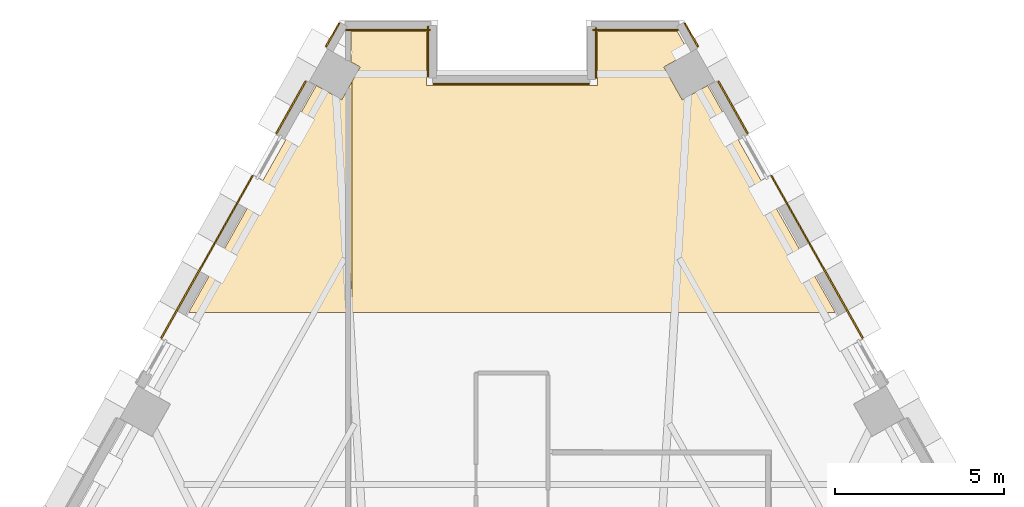
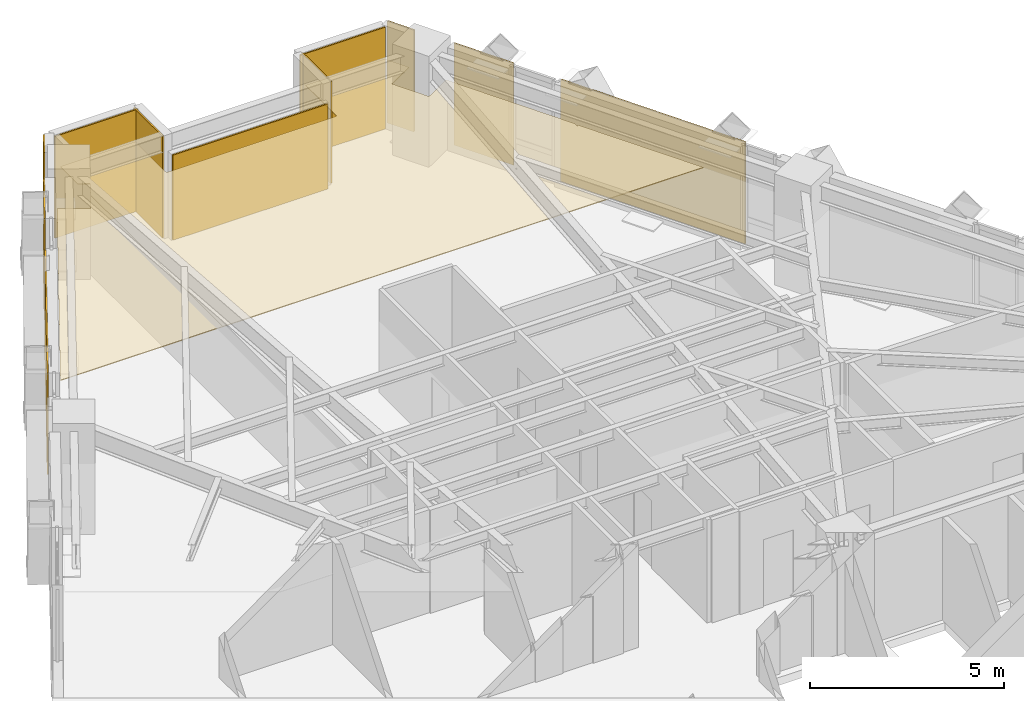
# One storey, part 13 of 13: 13 coverings.
"""IFC4 building model written with IfcOpenShell, lengths in metres."""

import ifcopenshell
import ifcopenshell.guid

model = None  # the IFC model being written
_history = None  # IfcOwnerHistory: only IFC2X3 demands one
_inside = {}  # id of a spatial element -> (the spatial element, [elements in it])
_under = {}  # id of a project, library or spatial element -> (it, [spatial elements below it])
_declared = {}  # id of a project -> (the project, [libraries it declares])
_typed = {}  # id of a type object -> (the type object, [elements of that type])
_made_of = {}  # id of a material, layer set ... -> (it, [elements and type objects made of it])


def new_model(schema):
    """Start an empty IFC model of exactly this schema.

    Asked for "IFC4X3", IfcOpenShell would pick the latest addendum, in which some entities
    have other attributes; the version numbers below select the first issue.
    IFC2X3 requires an IfcOwnerHistory on every rooted entity: one is made here for all.
    """
    global model, _history
    if schema == "IFC4X3":
        model = ifcopenshell.file(schema_version=(4, 3, 0, 0))
    else:
        model = ifcopenshell.file(schema=schema)
    _inside.clear()
    _under.clear()
    _declared.clear()
    _typed.clear()
    _made_of.clear()
    _history = None
    if model.schema == "IFC2X3":
        org = make("IfcOrganization", Name="unknown")
        user = make(
            "IfcPersonAndOrganization",
            ThePerson=make("IfcPerson", FamilyName="unknown"),
            TheOrganization=org,
        )
        app = make(
            "IfcApplication",
            ApplicationDeveloper=org,
            Version="unknown",
            ApplicationFullName="unknown",
            ApplicationIdentifier="unknown",
        )
        _history = make(
            "IfcOwnerHistory",
            OwningUser=user,
            OwningApplication=app,
            ChangeAction="ADDED",
            CreationDate=0,
        )
    return model


def make(cls, **values):
    """One entity of the class cls with the attributes given. An attribute that is None is left unset."""
    return model.create_entity(
        cls, **{name: value for name, value in values.items() if value is not None}
    )


def rooted(cls, **values):
    """An entity with a GlobalId (a new one), such as an element, a storey or a relation."""
    return make(cls, GlobalId=ifcopenshell.guid.new(), OwnerHistory=_history, **values)


def si_unit(unit_type, name, prefix=None):
    """IfcSIUnit, for example si_unit("LENGTHUNIT", "METRE", prefix="MILLI")."""
    return make("IfcSIUnit", UnitType=unit_type, Prefix=prefix, Name=name)


def assignment(units):
    """IfcUnitAssignment: the units of a project."""
    return None if units is None else make("IfcUnitAssignment", Units=units)


def point(xyz):
    """IfcCartesianPoint."""
    return None if xyz is None else make("IfcCartesianPoint", Coordinates=xyz)


def direction(xyz):
    """IfcDirection."""
    return None if xyz is None else make("IfcDirection", DirectionRatios=xyz)


def frame(location, z_axis=None, x_axis=None):
    """IfcAxis2Placement3D, a coordinate frame: its origin and axes. An axis left out is left unset."""
    return make(
        "IfcAxis2Placement3D",
        Location=point(location),
        Axis=direction(z_axis),
        RefDirection=direction(x_axis),
    )


def origin():
    """The frame at (0, 0, 0) with its axes left unset."""
    return frame((0.0, 0.0, 0.0))


def place(relative_to, where):
    """IfcLocalPlacement: puts the frame where relative to a parent placement (None: the world)."""
    return make(
        "IfcLocalPlacement", PlacementRelTo=relative_to, RelativePlacement=where
    )


def context(
    kind, dimensions, precision=None, world=None, true_north=None, identifier=None
):
    """IfcGeometricRepresentationContext, for example the 3D "Model" context."""
    return make(
        "IfcGeometricRepresentationContext",
        ContextIdentifier=identifier,
        ContextType=kind,
        CoordinateSpaceDimension=dimensions,
        Precision=precision,
        WorldCoordinateSystem=world,
        TrueNorth=true_north,
    )


def subcontext(parent, identifier, kind, view, scale=None):
    """IfcGeometricRepresentationSubContext, for example "Body" below "Model"."""
    return make(
        "IfcGeometricRepresentationSubContext",
        ContextIdentifier=identifier,
        ContextType=kind,
        ParentContext=parent,
        TargetScale=scale,
        TargetView=view,
    )


def project(units=None, contexts=None):
    """IfcProject with its units and contexts."""
    return rooted(
        "IfcProject",
        Name="project",
        RepresentationContexts=contexts,
        UnitsInContext=assignment(units),
    )


def spatial(cls, under=None, at=None, **own):
    """A site, building, storey or space (cls), placed at a placement, below another one or the project."""
    s = rooted(cls, ObjectPlacement=at, **own)
    if under is not None:
        _under.setdefault(under.id(), (under, []))[1].append(s)
    return s


def polyline(points):
    """IfcPolyline through the points."""
    return make("IfcPolyline", Points=[point(p) for p in points])


def outline(outer, holes=None, kind="AREA"):
    """IfcArbitraryClosedProfileDef: a profile drawn as a closed curve; with holes, ...WithVoids."""
    if holes is None:
        return make("IfcArbitraryClosedProfileDef", ProfileType=kind, OuterCurve=outer)
    return make(
        "IfcArbitraryProfileDefWithVoids",
        ProfileType=kind,
        OuterCurve=outer,
        InnerCurves=holes,
    )


def extrude(swept, where, along, depth):
    """IfcExtrudedAreaSolid: the profile swept, set in the frame where, extruded along a direction by depth."""
    return make(
        "IfcExtrudedAreaSolid",
        SweptArea=swept,
        Position=where,
        ExtrudedDirection=direction(along),
        Depth=depth,
    )


def shape(context_of_items, identifier, shape_type, items):
    """IfcShapeRepresentation: the items that make up one representation, for example the "Body"."""
    return make(
        "IfcShapeRepresentation",
        ContextOfItems=context_of_items,
        RepresentationIdentifier=identifier,
        RepresentationType=shape_type,
        Items=items,
    )


def material(Name=None, Category=None):
    """IfcMaterial."""
    return make("IfcMaterial", Name=Name, Category=Category)


def layer(
    of_material, thickness, ventilated=None, Name=None, Category=None, Priority=None
):
    """IfcMaterialLayer: one layer of a wall or slab, of a material (None: an air gap)."""
    return make(
        "IfcMaterialLayer",
        Material=of_material,
        LayerThickness=thickness,
        IsVentilated=ventilated,
        Name=Name,
        Category=Category,
        Priority=Priority,
    )


def layer_set(layers, Name=None):
    """IfcMaterialLayerSet."""
    return make("IfcMaterialLayerSet", MaterialLayers=layers, LayerSetName=Name)


def made_of(thing, what):
    """Note that an element or type object is made of a material, layer set ...; save() writes the relation."""
    if what is not None:
        _made_of.setdefault(what.id(), (what, []))[1].append(thing)
    return thing


def type_object(cls, material=None, **own):
    """A type object (cls), such as IfcWallType, which elements share."""
    return made_of(rooted(cls, **own), material)


def element(
    cls,
    number,
    at=None,
    inside=None,
    cuts=None,
    type_object=None,
    material=None,
    context=None,
    identifier="Body",
    shape_type=None,
    held_by="IfcProductDefinitionShape",
    body=None,
    shapes=None,
    **own,
):
    """One element of the class cls, such as IfcWall. Its Tag is "e" and its number.

    at: its placement. inside: the storey or other place that contains it. cuts: it is an
    opening in that element (IfcRelVoidsElement). A single representation is given by context,
    identifier, shape_type and body (its items); several are given by shapes. held_by: the class
    of the entity that holds the representations. save() writes the other relations.
    """
    e = rooted(cls, Tag="e%d" % number, ObjectPlacement=at, **own)
    if body is not None:
        shapes = [shape(context, identifier, shape_type, body)]
    if shapes is not None:
        e.Representation = make(held_by, Representations=shapes)
    if inside is not None:
        _inside.setdefault(inside.id(), (inside, []))[1].append(e)
    if cuts is not None:
        rooted(
            "IfcRelVoidsElement", RelatingBuildingElement=cuts, RelatedOpeningElement=e
        )
    if type_object is not None:
        _typed.setdefault(type_object.id(), (type_object, []))[1].append(e)
    return made_of(e, material)


def aggregate(whole, parts):
    """IfcRelAggregates: a whole, such as a stair, and the parts it consists of."""
    return rooted("IfcRelAggregates", RelatingObject=whole, RelatedObjects=parts)


def save(model, path):
    """Write the relations noted so far, then the file.

    IfcRelAggregates (storeys below a building ...), IfcRelContainedInSpatialStructure (elements
    in a storey), IfcRelDefinesByType, IfcRelAssociatesMaterial and IfcRelDeclares: one each for
    every whole, place, type object, material and project.
    """
    for whole, parts in _under.values():
        aggregate(whole, parts)
    for where, things in _inside.values():
        rooted(
            "IfcRelContainedInSpatialStructure",
            RelatedElements=things,
            RelatingStructure=where,
        )
    for kind, things in _typed.values():
        rooted("IfcRelDefinesByType", RelatedObjects=things, RelatingType=kind)
    for what, things in _made_of.values():
        rooted("IfcRelAssociatesMaterial", RelatedObjects=things, RelatingMaterial=what)
    for by, libraries in _declared.values():
        rooted("IfcRelDeclares", RelatingContext=by, RelatedDefinitions=libraries)
    model.write(path)


model = new_model("IFC4")

# Units and contexts
model_context = context("Model", 3, precision=1e-05, world=origin(), true_north=direction((0.0, 1.0)))
body_context = subcontext(model_context, "Body", "Model", "MODEL_VIEW")
ifc_project = project(units=[si_unit("LENGTHUNIT", "METRE"), si_unit("AREAUNIT", "SQUARE_METRE"), si_unit("VOLUMEUNIT", "CUBIC_METRE"), si_unit("PLANEANGLEUNIT", "RADIAN"), si_unit("MASSUNIT", "GRAM", prefix="KILO")], contexts=[model_context])

# Site, building, storey
site_placement = place(None, origin())
site = spatial("IfcSite", under=ifc_project, at=site_placement, CompositionType="ELEMENT")
building_placement = place(site_placement, origin())
building = spatial("IfcBuilding", under=site, at=building_placement, Name="Quenlor Broadcast Tower", CompositionType="ELEMENT")
storey_placement = place(building_placement, frame((0.0, 0.0, 109.0)))
storey = spatial("IfcBuildingStorey", under=building, at=storey_placement, Name="L29", CompositionType="ELEMENT", Elevation=109.0)

# Coverings
ifc_material_1 = material(Name="Acoustic Mineral Fibre Board", Category="other")
ifc_layer_1 = layer(ifc_material_1, 0.02490234375)
ifc_layer_set_1 = layer_set([ifc_layer_1], Name="Acoustic Perforated Mineral Tile Ceiling 25")
covering_type_1 = type_object("IfcCoveringType", Name="Acoustic Perforated Mineral Tile Ceiling 25", PredefinedType="CEILING", material=ifc_layer_set_1)
covering_1_placement = place(storey_placement, frame((0.0, 0.0, 2.22509765625)))
element("IfcCovering", 1, at=covering_1_placement, inside=storey, type_object=covering_type_1, Name="L29 Acoustic Ceiling L29-29-2", PredefinedType="CEILING", context=body_context, shape_type="SweptSolid", body=[
    extrude(outline(polyline([(-4.780029296875, 19.4384765625), (-4.50244140625, 19.931884765625), (-4.780029296875, 20.087890625), (-4.780029296875, 20.988037109375), (-2.5400390625, 20.988037109375), (-2.5400390625, 19.387939453125), (2.5400390625, 19.387939453125), (2.5400390625, 20.988037109375), (4.904296875, 20.988037109375), (5.2587890625, 20.357421875), (4.50244140625, 19.931884765625), (5.049560546875, 18.959228515625), (5.805908203125, 19.384765625), (7.699951171875, 16.017578125), (7.699951171875, 15.89404296875), (7.71337890625, 15.90966796875), (7.735595703125, 15.92822265625), (9.548583984375, 12.731201171875), (9.59423828125, 12.64990234375), (-4.780029296875, 12.64990234375), (-4.780029296875, 19.4384765625)])), origin(), (0.0, 0.0, 1.0), 0.02490234375),
])
covering_2_placement = place(storey_placement, frame((0.0, 0.0, 2.22509765625)))
element("IfcCovering", 2, at=covering_2_placement, inside=storey, type_object=covering_type_1, Name="L29 Acoustic Ceiling L29-36-3", PredefinedType="CEILING", context=body_context, shape_type="SweptSolid", body=[
    extrude(outline(polyline([(-5.805908203125, 19.384765625), (-5.049560546875, 18.959228515625), (-4.75, 19.49169921875), (-4.75, 12.64990234375), (-9.59423828125, 12.64990234375), (-5.805908203125, 19.384765625)])), origin(), (0.0, 0.0, 1.0), 0.02490234375),
])
ifc_material_2 = material(Name="Architectural Terracotta Ceramic", Category="masonry")
ifc_layer_2 = layer(ifc_material_2, 0.044921875)
ifc_layer_set_2 = layer_set([ifc_layer_2], Name="Fluted Terracotta Rainscreen Cladding Panel")
covering_type_2 = type_object("IfcCoveringType", Name="Fluted Terracotta Rainscreen Cladding Panel", PredefinedType="CLADDING", material=ifc_layer_set_2)
covering_3_placement = place(storey_placement, frame((0.0, 0.0, 0.02001953125)))
element("IfcCovering", 3, at=covering_3_placement, inside=storey, type_object=covering_type_2, Name="L29 Terracotta Rainscreen Cladding L29-SHD-NES0", PredefinedType="CLADDING", context=body_context, shape_type="SweptSolid", body=[
    extrude(outline(polyline([(5.105224609375, 21.22607421875), (5.5, 20.524169921875), (5.539306640625, 20.546142578125), (5.144287109375, 21.248046875), (5.105224609375, 21.22607421875)])), origin(), (0.0, 0.0, 1.0), 3.2099609375),
])
covering_4_placement = place(storey_placement, frame((0.0, 0.0, 0.02001953125)))
element("IfcCovering", 4, at=covering_4_placement, inside=storey, type_object=covering_type_2, Name="L29 Terracotta Rainscreen Cladding L29-NEA-SP1", PredefinedType="CLADDING", context=body_context, shape_type="SweptSolid", body=[
    extrude(outline(polyline([(6.10107421875, 19.496826171875), (6.97509765625, 17.9423828125), (7.014404296875, 17.964599609375), (6.14013671875, 19.518798828125), (6.10107421875, 19.496826171875)])), origin(), (0.0, 0.0, 1.0), 3.2099609375),
])
covering_5_placement = place(storey_placement, frame((0.0, 0.0, 0.02001953125)))
element("IfcCovering", 5, at=covering_5_placement, inside=storey, type_object=covering_type_2, Name="L29 Terracotta Rainscreen Cladding L29-NEA-SP2", PredefinedType="CLADDING", context=body_context, shape_type="SweptSolid", body=[
    extrude(outline(polyline([(7.673583984375, 16.700927734375), (10.38818359375, 11.874755859375), (10.427490234375, 11.896728515625), (7.712890625, 16.722900390625), (7.673583984375, 16.700927734375)])), origin(), (0.0, 0.0, 1.0), 3.2099609375),
])
covering_6_placement = place(storey_placement, frame((0.0, 0.0, 0.02001953125)))
element("IfcCovering", 6, at=covering_6_placement, inside=storey, type_object=covering_type_2, Name="L29 Terracotta Rainscreen Cladding L29-SHD-NWS1", PredefinedType="CLADDING", context=body_context, shape_type="SweptSolid", body=[
    extrude(outline(polyline([(-5.5, 20.524169921875), (-5.105224609375, 21.22607421875), (-5.144287109375, 21.248046875), (-5.539306640625, 20.546142578125), (-5.5, 20.524169921875)])), origin(), (0.0, 0.0, 1.0), 3.2099609375),
])
covering_7_placement = place(storey_placement, frame((0.0, 0.0, 0.02001953125)))
element("IfcCovering", 7, at=covering_7_placement, inside=storey, type_object=covering_type_2, Name="L29 Terracotta Rainscreen Cladding L29-NWC-SP2", PredefinedType="CLADDING", context=body_context, shape_type="SweptSolid", body=[
    extrude(outline(polyline([(-10.38818359375, 11.874755859375), (-7.673583984375, 16.700927734375), (-7.712890625, 16.722900390625), (-10.427490234375, 11.896728515625), (-10.38818359375, 11.874755859375)])), origin(), (0.0, 0.0, 1.0), 3.2099609375),
])
covering_8_placement = place(storey_placement, frame((0.0, 0.0, 0.02001953125)))
element("IfcCovering", 8, at=covering_8_placement, inside=storey, type_object=covering_type_2, Name="L29 Terracotta Rainscreen Cladding L29-NWC-SP3", PredefinedType="CLADDING", context=body_context, shape_type="SweptSolid", body=[
    extrude(outline(polyline([(-6.97509765625, 17.9423828125), (-6.10107421875, 19.496826171875), (-6.14013671875, 19.518798828125), (-7.014404296875, 17.964599609375), (-6.97509765625, 17.9423828125)])), origin(), (0.0, 0.0, 1.0), 3.2099609375),
])
covering_9_placement = place(storey_placement, frame((0.0, 0.0, 0.02001953125)))
element("IfcCovering", 9, at=covering_9_placement, inside=storey, type_object=covering_type_2, Name="L29 Terracotta Rainscreen Cladding L29-CNR-06", PredefinedType="CLADDING", context=body_context, shape_type="SweptSolid", body=[
    extrude(outline(polyline([(4.929443359375, 21.055908203125), (2.389892578125, 21.055908203125), (2.389892578125, 21.010986328125), (4.929443359375, 21.010986328125), (4.929443359375, 21.055908203125)])), origin(), (0.0, 0.0, 1.0), 3.2099609375),
])
covering_10_placement = place(storey_placement, frame((0.0, 0.0, 0.02001953125)))
element("IfcCovering", 10, at=covering_10_placement, inside=storey, type_object=covering_type_2, Name="L29 Terracotta Rainscreen Cladding L29-CNR-07", PredefinedType="CLADDING", context=body_context, shape_type="SweptSolid", body=[
    extrude(outline(polyline([(2.471923828125, 21.097900390625), (2.471923828125, 19.597900390625), (2.51708984375, 19.597900390625), (2.51708984375, 21.097900390625), (2.471923828125, 21.097900390625)])), origin(), (0.0, 0.0, 1.0), 3.2099609375),
])
covering_11_placement = place(storey_placement, frame((0.0, 0.0, 0.02001953125)))
element("IfcCovering", 11, at=covering_11_placement, inside=storey, type_object=covering_type_2, Name="L29 Terracotta Rainscreen Cladding L29-CNR-08", PredefinedType="CLADDING", context=body_context, shape_type="SweptSolid", body=[
    extrude(outline(polyline([(2.2900390625, 19.4560546875), (-2.330078125, 19.4560546875), (-2.330078125, 19.410888671875), (2.2900390625, 19.410888671875), (2.2900390625, 19.4560546875)])), origin(), (0.0, 0.0, 1.0), 2.681884765625),
])
covering_12_placement = place(storey_placement, frame((0.0, 0.0, 0.02001953125)))
element("IfcCovering", 12, at=covering_12_placement, inside=storey, type_object=covering_type_2, Name="L29 Terracotta Rainscreen Cladding L29-CNR-09", PredefinedType="CLADDING", context=body_context, shape_type="SweptSolid", body=[
    extrude(outline(polyline([(-2.471923828125, 19.637939453125), (-2.471923828125, 21.137939453125), (-2.51708984375, 21.137939453125), (-2.51708984375, 19.637939453125), (-2.471923828125, 19.637939453125)])), origin(), (0.0, 0.0, 1.0), 3.2099609375),
])
covering_13_placement = place(storey_placement, frame((0.0, 0.0, 0.02001953125)))
element("IfcCovering", 13, at=covering_13_placement, inside=storey, type_object=covering_type_2, Name="L29 Terracotta Rainscreen Cladding L29-CNR-10", PredefinedType="CLADDING", context=body_context, shape_type="SweptSolid", body=[
    extrude(outline(polyline([(-2.429931640625, 21.055908203125), (-4.929443359375, 21.055908203125), (-4.929443359375, 21.010986328125), (-2.429931640625, 21.010986328125), (-2.429931640625, 21.055908203125)])), origin(), (0.0, 0.0, 1.0), 3.2099609375),
])

save(model, "model.ifc")
